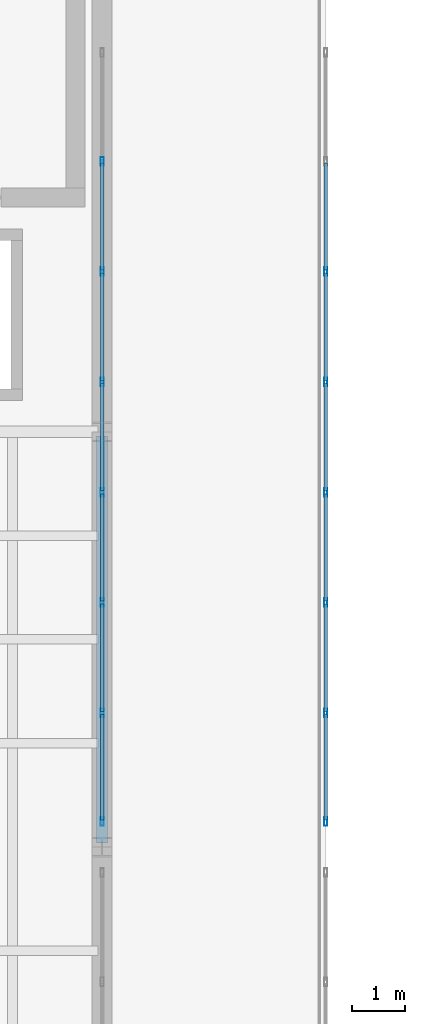
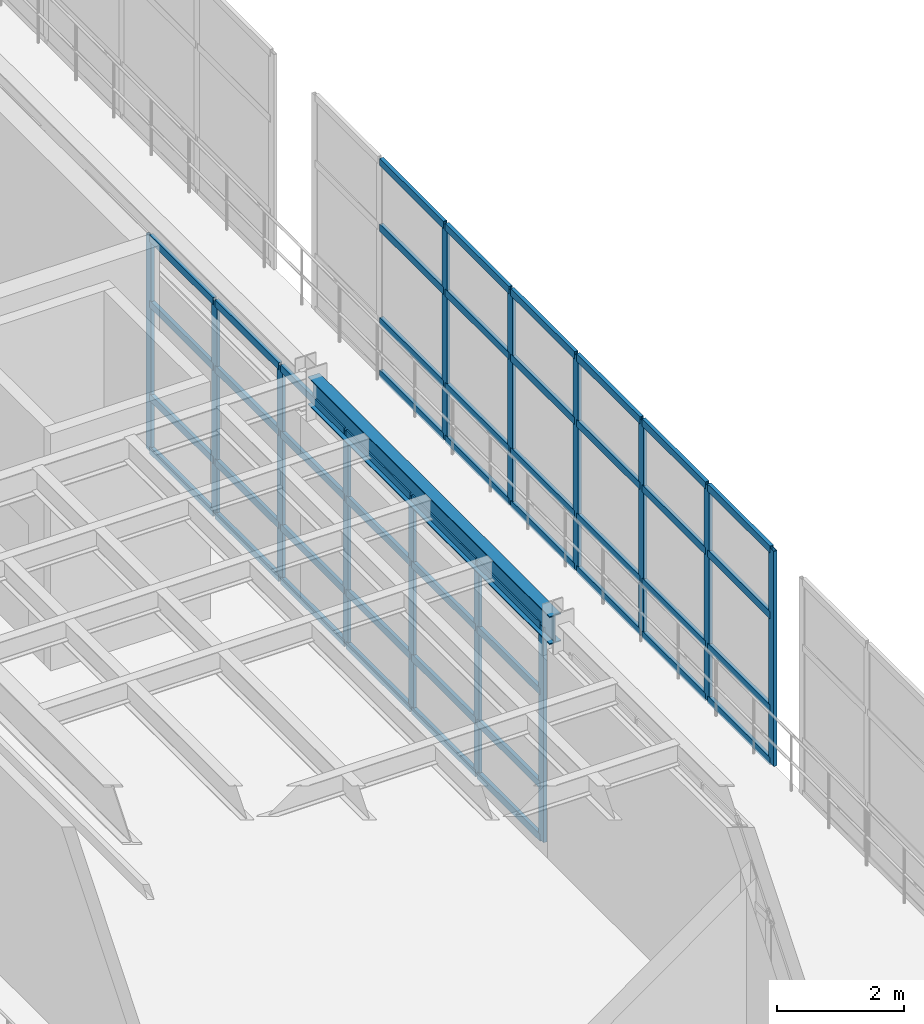
# One storey, part 56 of 116: 61 members, 1 beam, 2 elements without a shape of their own.
"""IFC4 building model written with IfcOpenShell, lengths in metres."""

from ifc_helpers import new_model, si_unit, direction, frame, origin, origin_2d, place, context, subcontext, project, spatial, hollow_rectangle, i_section, extrude, material, layer, layer_set, material_profile, profile_set, type_object, element, aggregate, save


model = new_model("IFC4")

# Units and contexts
model_context = context("Model", 3, precision=1e-05, world=origin(), true_north=direction((0.0, 1.0)))
body_context = subcontext(model_context, "Body", "Model", "MODEL_VIEW")
ifc_project = project(units=[si_unit("LENGTHUNIT", "METRE"), si_unit("AREAUNIT", "SQUARE_METRE"), si_unit("VOLUMEUNIT", "CUBIC_METRE"), si_unit("PLANEANGLEUNIT", "RADIAN"), si_unit("MASSUNIT", "GRAM", prefix="KILO")], contexts=[model_context])

# Site, building, storey
site_placement = place(None, origin())
site = spatial("IfcSite", under=ifc_project, at=site_placement, CompositionType="ELEMENT")
building_placement = place(site_placement, origin())
building = spatial("IfcBuilding", under=site, at=building_placement, Name="Selat Folded Stagehouse", CompositionType="ELEMENT")
storey_placement = place(building_placement, frame((0.0, 0.0, 5.39990234375)))
storey = spatial("IfcBuildingStorey", under=building, at=storey_placement, Name="L01", CompositionType="ELEMENT", Elevation=5.39990234375)

# Beam
ifc_material_1 = material(Name="Steel S355", Category="steel")
ifc_material_profile_1 = material_profile(ifc_material_1, i_section(OverallWidth=0.210693359375, OverallDepth=0.53955078125, WebThickness=0.01171875, FlangeThickness=0.018798828125, FilletRadius=0.0126953125, at=origin_2d()), Name="UKB 533x210x109")
ifc_profile_set_1 = profile_set([ifc_material_profile_1], Name="Steel S355")
beam_type = type_object("IfcBeamType", Name="BM-GIRD-533x210x109", PredefinedType="BEAM", material=ifc_profile_set_1)
beam_placement = place(storey_placement, frame((67.199951171875, 31.280029296875, 4.310302734375), z_axis=(0.0, 1.0, 0.0), x_axis=(-1.0, 0.0, 0.0)))
element("IfcBeam", 1, at=beam_placement, inside=storey, type_object=beam_type, Name="L01 primary y-girder 0825", PredefinedType="BEAM", context=body_context, shape_type="SweptSolid", body=[
    extrude(i_section(OverallWidth=0.210693359375, OverallDepth=0.53955078125, WebThickness=0.01171875, FlangeThickness=0.018798828125, FilletRadius=0.0126953125, at=origin_2d()), origin(), (0.0, 0.0, 1.0), 7.639892578125),
])

# Curtain wall, members
ifc_material_2 = material(Name="Aluminium 6063-T6", Category="aluminium")
ifc_layer = layer(ifc_material_2, 0.175048828125)
ifc_layer_set = layer_set([ifc_layer], Name="Aluminium 6063-T6")
curtain_wall_type = type_object("IfcCurtainWallType", Name="CW-BRG-GLAZ", PredefinedType="NOTDEFINED", material=ifc_layer_set)
curtain_wall_1_placement = place(storey_placement, origin())
curtain_wall_1 = element("IfcCurtainWall", 2, at=curtain_wall_1_placement, inside=storey, type_object=curtain_wall_type, Name="L01 curtain wall CW-BRG-02", PredefinedType="NOTDEFINED")
ifc_material_profile_2 = material_profile(ifc_material_2, hollow_rectangle(XDim=0.06005859375, YDim=0.159912109375, WallThickness=0.00390625, at=origin_2d()), Name="ALU 160x60x4.0")
ifc_profile_set_2 = profile_set([ifc_material_profile_2], Name="Aluminium 6063-T6")
member_type_1 = type_object("IfcMemberType", Name="CWM-MUL-160x60", PredefinedType="MULLION", material=ifc_profile_set_2)
member_1_placement = place(storey_placement, frame((67.199951171875, 31.679931640625, 0.0), z_axis=(0.0, 0.0, 1.0), x_axis=(-1.0, 0.0, 0.0)))
member_1 = element("IfcMember", 3, at=member_1_placement, type_object=member_type_1, Name="CW-07 mullion 1", PredefinedType="MULLION", context=body_context, shape_type="SweptSolid", body=[
    extrude(hollow_rectangle(XDim=0.06005859375, YDim=0.159912109375, WallThickness=0.00390625, at=origin_2d()), origin(), (0.0, 0.0, 1.0), 4.150146484375),
])
member_2_placement = place(storey_placement, frame((67.199951171875, 33.721435546875, 0.0), z_axis=(0.0, 0.0, 1.0), x_axis=(-1.0, 0.0, 0.0)))
member_2 = element("IfcMember", 4, at=member_2_placement, type_object=member_type_1, Name="CW-07 mullion 2", PredefinedType="MULLION", context=body_context, shape_type="SweptSolid", body=[
    extrude(hollow_rectangle(XDim=0.06005859375, YDim=0.159912109375, WallThickness=0.00390625, at=origin_2d()), origin(), (0.0, 0.0, 1.0), 4.150146484375),
])
member_3_placement = place(storey_placement, frame((67.199951171875, 35.79296875, 0.0), z_axis=(0.0, 0.0, 1.0), x_axis=(-1.0, 0.0, 0.0)))
member_3 = element("IfcMember", 5, at=member_3_placement, type_object=member_type_1, Name="CW-07 mullion 3", PredefinedType="MULLION", context=body_context, shape_type="SweptSolid", body=[
    extrude(hollow_rectangle(XDim=0.06005859375, YDim=0.159912109375, WallThickness=0.00390625, at=origin_2d()), origin(), (0.0, 0.0, 1.0), 4.150146484375),
])
member_4_placement = place(storey_placement, frame((67.199951171875, 37.8642578125, 0.0), z_axis=(0.0, 0.0, 1.0), x_axis=(-1.0, 0.0, 0.0)))
member_4 = element("IfcMember", 6, at=member_4_placement, type_object=member_type_1, Name="CW-07 mullion 4", PredefinedType="MULLION", context=body_context, shape_type="SweptSolid", body=[
    extrude(hollow_rectangle(XDim=0.06005859375, YDim=0.159912109375, WallThickness=0.00390625, at=origin_2d()), origin(), (0.0, 0.0, 1.0), 4.150146484375),
])
member_5_placement = place(storey_placement, frame((67.199951171875, 39.935791015625, 0.0), z_axis=(0.0, 0.0, 1.0), x_axis=(-1.0, 0.0, 0.0)))
member_5 = element("IfcMember", 7, at=member_5_placement, type_object=member_type_1, Name="CW-07 mullion 5", PredefinedType="MULLION", context=body_context, shape_type="SweptSolid", body=[
    extrude(hollow_rectangle(XDim=0.06005859375, YDim=0.159912109375, WallThickness=0.00390625, at=origin_2d()), origin(), (0.0, 0.0, 1.0), 4.150146484375),
])
member_6_placement = place(storey_placement, frame((67.199951171875, 42.007080078125, 0.0), z_axis=(0.0, 0.0, 1.0), x_axis=(-1.0, 0.0, 0.0)))
member_6 = element("IfcMember", 8, at=member_6_placement, type_object=member_type_1, Name="CW-07 mullion 6", PredefinedType="MULLION", context=body_context, shape_type="SweptSolid", body=[
    extrude(hollow_rectangle(XDim=0.06005859375, YDim=0.159912109375, WallThickness=0.00390625, at=origin_2d()), origin(), (0.0, 0.0, 1.0), 4.150146484375),
])
member_7_placement = place(storey_placement, frame((67.199951171875, 44.07861328125, 0.0), z_axis=(0.0, 0.0, 1.0), x_axis=(-1.0, 0.0, 0.0)))
member_7 = element("IfcMember", 9, at=member_7_placement, type_object=member_type_1, Name="CW-07 mullion 7", PredefinedType="MULLION", context=body_context, shape_type="SweptSolid", body=[
    extrude(hollow_rectangle(XDim=0.06005859375, YDim=0.159912109375, WallThickness=0.00390625, at=origin_2d()), origin(), (0.0, 0.0, 1.0), 4.150146484375),
])

curtain_wall_2_placement = place(storey_placement, origin())
curtain_wall_2 = element("IfcCurtainWall", 10, at=curtain_wall_2_placement, inside=storey, type_object=curtain_wall_type, Name="L01 curtain wall CW-BRG-07", PredefinedType="NOTDEFINED")
member_8_placement = place(storey_placement, frame((71.39990234375, 42.007080078125, 0.0), z_axis=(0.0, 0.0, 1.0), x_axis=(1.0, 0.0, 0.0)))
member_8 = element("IfcMember", 11, at=member_8_placement, type_object=member_type_1, Name="CW-07 mullion 3", PredefinedType="MULLION", context=body_context, shape_type="SweptSolid", body=[
    extrude(hollow_rectangle(XDim=0.06005859375, YDim=0.159912109375, WallThickness=0.00390625, at=origin_2d()), origin(), (0.0, 0.0, 1.0), 4.150146484375),
])
member_9_placement = place(storey_placement, frame((71.39990234375, 39.935791015625, 0.0), z_axis=(0.0, 0.0, 1.0), x_axis=(1.0, 0.0, 0.0)))
member_9 = element("IfcMember", 12, at=member_9_placement, type_object=member_type_1, Name="CW-07 mullion 4", PredefinedType="MULLION", context=body_context, shape_type="SweptSolid", body=[
    extrude(hollow_rectangle(XDim=0.06005859375, YDim=0.159912109375, WallThickness=0.00390625, at=origin_2d()), origin(), (0.0, 0.0, 1.0), 4.150146484375),
])
member_10_placement = place(storey_placement, frame((71.39990234375, 37.8642578125, 0.0), z_axis=(0.0, 0.0, 1.0), x_axis=(1.0, 0.0, 0.0)))
member_10 = element("IfcMember", 13, at=member_10_placement, type_object=member_type_1, Name="CW-07 mullion 5", PredefinedType="MULLION", context=body_context, shape_type="SweptSolid", body=[
    extrude(hollow_rectangle(XDim=0.06005859375, YDim=0.159912109375, WallThickness=0.00390625, at=origin_2d()), origin(), (0.0, 0.0, 1.0), 4.150146484375),
])
member_11_placement = place(storey_placement, frame((71.39990234375, 35.79296875, 0.0), z_axis=(0.0, 0.0, 1.0), x_axis=(1.0, 0.0, 0.0)))
member_11 = element("IfcMember", 14, at=member_11_placement, type_object=member_type_1, Name="CW-07 mullion 6", PredefinedType="MULLION", context=body_context, shape_type="SweptSolid", body=[
    extrude(hollow_rectangle(XDim=0.06005859375, YDim=0.159912109375, WallThickness=0.00390625, at=origin_2d()), origin(), (0.0, 0.0, 1.0), 4.150146484375),
])
member_12_placement = place(storey_placement, frame((71.39990234375, 33.721435546875, 0.0), z_axis=(0.0, 0.0, 1.0), x_axis=(1.0, 0.0, 0.0)))
member_12 = element("IfcMember", 15, at=member_12_placement, type_object=member_type_1, Name="CW-07 mullion 7", PredefinedType="MULLION", context=body_context, shape_type="SweptSolid", body=[
    extrude(hollow_rectangle(XDim=0.06005859375, YDim=0.159912109375, WallThickness=0.00390625, at=origin_2d()), origin(), (0.0, 0.0, 1.0), 4.150146484375),
])
member_13_placement = place(storey_placement, frame((71.39990234375, 31.679931640625, 0.0), z_axis=(0.0, 0.0, 1.0), x_axis=(1.0, 0.0, 0.0)))
member_13 = element("IfcMember", 16, at=member_13_placement, type_object=member_type_1, Name="CW-07 mullion 8", PredefinedType="MULLION", context=body_context, shape_type="SweptSolid", body=[
    extrude(hollow_rectangle(XDim=0.06005859375, YDim=0.159912109375, WallThickness=0.00390625, at=origin_2d()), origin(), (0.0, 0.0, 1.0), 4.150146484375),
])

# Member
ifc_material_profile_3 = material_profile(ifc_material_2, hollow_rectangle(XDim=0.06494140625, YDim=0.139892578125, WallThickness=0.00390625, at=origin_2d()), Name="ALU 140x65x4.0")
ifc_profile_set_3 = profile_set([ifc_material_profile_3], Name="Aluminium 6063-T6")
member_type_2 = type_object("IfcMemberType", Name="CWM-TRN-140x65", PredefinedType="USERDEFINED", material=ifc_profile_set_3)
member_14_placement = place(storey_placement, frame((67.199951171875, 31.7099609375, 0.03271484375), z_axis=(0.0, 1.0, 0.0), x_axis=(-1.0, 0.0, 0.0)))
member_14 = element("IfcMember", 17, at=member_14_placement, type_object=member_type_2, Name="CW-07 transom 1.1", ObjectType="TRANSOM", PredefinedType="USERDEFINED", context=body_context, shape_type="SweptSolid", body=[
    extrude(hollow_rectangle(XDim=0.06494140625, YDim=0.139892578125, WallThickness=0.00390625, at=origin_2d()), origin(), (0.0, 0.0, 1.0), 1.9814453125),
])

member_15_placement = place(storey_placement, frame((67.199951171875, 31.7099609375, 1.050048828125), z_axis=(0.0, 1.0, 0.0), x_axis=(-1.0, 0.0, 0.0)))
member_15 = element("IfcMember", 18, at=member_15_placement, type_object=member_type_2, Name="CW-07 transom 1.2", ObjectType="TRANSOM", PredefinedType="USERDEFINED", context=body_context, shape_type="SweptSolid", body=[
    extrude(hollow_rectangle(XDim=0.06494140625, YDim=0.139892578125, WallThickness=0.00390625, at=origin_2d()), origin(), (0.0, 0.0, 1.0), 1.9814453125),
])

member_16_placement = place(storey_placement, frame((67.199951171875, 31.7099609375, 2.85009765625), z_axis=(0.0, 1.0, 0.0), x_axis=(-1.0, 0.0, 0.0)))
member_16 = element("IfcMember", 19, at=member_16_placement, type_object=member_type_2, Name="CW-07 transom 1.3", ObjectType="TRANSOM", PredefinedType="USERDEFINED", context=body_context, shape_type="SweptSolid", body=[
    extrude(hollow_rectangle(XDim=0.06494140625, YDim=0.139892578125, WallThickness=0.00390625, at=origin_2d()), origin(), (0.0, 0.0, 1.0), 1.9814453125),
])

member_17_placement = place(storey_placement, frame((67.199951171875, 31.7099609375, 4.11767578125), z_axis=(0.0, 1.0, 0.0), x_axis=(-1.0, 0.0, 0.0)))
member_17 = element("IfcMember", 20, at=member_17_placement, type_object=member_type_2, Name="CW-07 transom 1.4", ObjectType="TRANSOM", PredefinedType="USERDEFINED", context=body_context, shape_type="SweptSolid", body=[
    extrude(hollow_rectangle(XDim=0.06494140625, YDim=0.139892578125, WallThickness=0.00390625, at=origin_2d()), origin(), (0.0, 0.0, 1.0), 1.9814453125),
])

member_18_placement = place(storey_placement, frame((67.199951171875, 33.75146484375, 0.03271484375), z_axis=(0.0, 1.0, 0.0), x_axis=(-1.0, 0.0, 0.0)))
member_18 = element("IfcMember", 21, at=member_18_placement, type_object=member_type_2, Name="CW-07 transom 2.1", ObjectType="TRANSOM", PredefinedType="USERDEFINED", context=body_context, shape_type="SweptSolid", body=[
    extrude(hollow_rectangle(XDim=0.06494140625, YDim=0.139892578125, WallThickness=0.00390625, at=origin_2d()), origin(), (0.0, 0.0, 1.0), 2.011474609375),
])

member_19_placement = place(storey_placement, frame((67.199951171875, 33.75146484375, 1.050048828125), z_axis=(0.0, 1.0, 0.0), x_axis=(-1.0, 0.0, 0.0)))
member_19 = element("IfcMember", 22, at=member_19_placement, type_object=member_type_2, Name="CW-07 transom 2.2", ObjectType="TRANSOM", PredefinedType="USERDEFINED", context=body_context, shape_type="SweptSolid", body=[
    extrude(hollow_rectangle(XDim=0.06494140625, YDim=0.139892578125, WallThickness=0.00390625, at=origin_2d()), origin(), (0.0, 0.0, 1.0), 2.011474609375),
])

member_20_placement = place(storey_placement, frame((67.199951171875, 33.75146484375, 2.85009765625), z_axis=(0.0, 1.0, 0.0), x_axis=(-1.0, 0.0, 0.0)))
member_20 = element("IfcMember", 23, at=member_20_placement, type_object=member_type_2, Name="CW-07 transom 2.3", ObjectType="TRANSOM", PredefinedType="USERDEFINED", context=body_context, shape_type="SweptSolid", body=[
    extrude(hollow_rectangle(XDim=0.06494140625, YDim=0.139892578125, WallThickness=0.00390625, at=origin_2d()), origin(), (0.0, 0.0, 1.0), 2.011474609375),
])

member_21_placement = place(storey_placement, frame((67.199951171875, 33.75146484375, 4.11767578125), z_axis=(0.0, 1.0, 0.0), x_axis=(-1.0, 0.0, 0.0)))
member_21 = element("IfcMember", 24, at=member_21_placement, type_object=member_type_2, Name="CW-07 transom 2.4", ObjectType="TRANSOM", PredefinedType="USERDEFINED", context=body_context, shape_type="SweptSolid", body=[
    extrude(hollow_rectangle(XDim=0.06494140625, YDim=0.139892578125, WallThickness=0.00390625, at=origin_2d()), origin(), (0.0, 0.0, 1.0), 2.011474609375),
])

member_22_placement = place(storey_placement, frame((67.199951171875, 35.82275390625, 0.03271484375), z_axis=(0.0, 1.0, 0.0), x_axis=(-1.0, 0.0, 0.0)))
member_22 = element("IfcMember", 25, at=member_22_placement, type_object=member_type_2, Name="CW-07 transom 3.1", ObjectType="TRANSOM", PredefinedType="USERDEFINED", context=body_context, shape_type="SweptSolid", body=[
    extrude(hollow_rectangle(XDim=0.06494140625, YDim=0.139892578125, WallThickness=0.00390625, at=origin_2d()), origin(), (0.0, 0.0, 1.0), 2.011474609375),
])

member_23_placement = place(storey_placement, frame((67.199951171875, 35.82275390625, 1.050048828125), z_axis=(0.0, 1.0, 0.0), x_axis=(-1.0, 0.0, 0.0)))
member_23 = element("IfcMember", 26, at=member_23_placement, type_object=member_type_2, Name="CW-07 transom 3.2", ObjectType="TRANSOM", PredefinedType="USERDEFINED", context=body_context, shape_type="SweptSolid", body=[
    extrude(hollow_rectangle(XDim=0.06494140625, YDim=0.139892578125, WallThickness=0.00390625, at=origin_2d()), origin(), (0.0, 0.0, 1.0), 2.011474609375),
])

member_24_placement = place(storey_placement, frame((67.199951171875, 35.82275390625, 2.85009765625), z_axis=(0.0, 1.0, 0.0), x_axis=(-1.0, 0.0, 0.0)))
member_24 = element("IfcMember", 27, at=member_24_placement, type_object=member_type_2, Name="CW-07 transom 3.3", ObjectType="TRANSOM", PredefinedType="USERDEFINED", context=body_context, shape_type="SweptSolid", body=[
    extrude(hollow_rectangle(XDim=0.06494140625, YDim=0.139892578125, WallThickness=0.00390625, at=origin_2d()), origin(), (0.0, 0.0, 1.0), 2.011474609375),
])

member_25_placement = place(storey_placement, frame((67.199951171875, 35.82275390625, 4.11767578125), z_axis=(0.0, 1.0, 0.0), x_axis=(-1.0, 0.0, 0.0)))
member_25 = element("IfcMember", 28, at=member_25_placement, type_object=member_type_2, Name="CW-07 transom 3.4", ObjectType="TRANSOM", PredefinedType="USERDEFINED", context=body_context, shape_type="SweptSolid", body=[
    extrude(hollow_rectangle(XDim=0.06494140625, YDim=0.139892578125, WallThickness=0.00390625, at=origin_2d()), origin(), (0.0, 0.0, 1.0), 2.011474609375),
])

member_26_placement = place(storey_placement, frame((67.199951171875, 37.894287109375, 0.03271484375), z_axis=(0.0, 1.0, 0.0), x_axis=(-1.0, 0.0, 0.0)))
member_26 = element("IfcMember", 29, at=member_26_placement, type_object=member_type_2, Name="CW-07 transom 4.1", ObjectType="TRANSOM", PredefinedType="USERDEFINED", context=body_context, shape_type="SweptSolid", body=[
    extrude(hollow_rectangle(XDim=0.06494140625, YDim=0.139892578125, WallThickness=0.00390625, at=origin_2d()), origin(), (0.0, 0.0, 1.0), 2.011474609375),
])

member_27_placement = place(storey_placement, frame((67.199951171875, 37.894287109375, 1.050048828125), z_axis=(0.0, 1.0, 0.0), x_axis=(-1.0, 0.0, 0.0)))
member_27 = element("IfcMember", 30, at=member_27_placement, type_object=member_type_2, Name="CW-07 transom 4.2", ObjectType="TRANSOM", PredefinedType="USERDEFINED", context=body_context, shape_type="SweptSolid", body=[
    extrude(hollow_rectangle(XDim=0.06494140625, YDim=0.139892578125, WallThickness=0.00390625, at=origin_2d()), origin(), (0.0, 0.0, 1.0), 2.011474609375),
])

member_28_placement = place(storey_placement, frame((67.199951171875, 37.894287109375, 2.85009765625), z_axis=(0.0, 1.0, 0.0), x_axis=(-1.0, 0.0, 0.0)))
member_28 = element("IfcMember", 31, at=member_28_placement, type_object=member_type_2, Name="CW-07 transom 4.3", ObjectType="TRANSOM", PredefinedType="USERDEFINED", context=body_context, shape_type="SweptSolid", body=[
    extrude(hollow_rectangle(XDim=0.06494140625, YDim=0.139892578125, WallThickness=0.00390625, at=origin_2d()), origin(), (0.0, 0.0, 1.0), 2.011474609375),
])

member_29_placement = place(storey_placement, frame((67.199951171875, 37.894287109375, 4.11767578125), z_axis=(0.0, 1.0, 0.0), x_axis=(-1.0, 0.0, 0.0)))
member_29 = element("IfcMember", 32, at=member_29_placement, type_object=member_type_2, Name="CW-07 transom 4.4", ObjectType="TRANSOM", PredefinedType="USERDEFINED", context=body_context, shape_type="SweptSolid", body=[
    extrude(hollow_rectangle(XDim=0.06494140625, YDim=0.139892578125, WallThickness=0.00390625, at=origin_2d()), origin(), (0.0, 0.0, 1.0), 2.011474609375),
])

member_30_placement = place(storey_placement, frame((67.199951171875, 39.9658203125, 0.03271484375), z_axis=(0.0, 1.0, 0.0), x_axis=(-1.0, 0.0, 0.0)))
member_30 = element("IfcMember", 33, at=member_30_placement, type_object=member_type_2, Name="CW-07 transom 5.1", ObjectType="TRANSOM", PredefinedType="USERDEFINED", context=body_context, shape_type="SweptSolid", body=[
    extrude(hollow_rectangle(XDim=0.06494140625, YDim=0.139892578125, WallThickness=0.00390625, at=origin_2d()), origin(), (0.0, 0.0, 1.0), 2.01123046875),
])

member_31_placement = place(storey_placement, frame((67.199951171875, 39.9658203125, 1.050048828125), z_axis=(0.0, 1.0, 0.0), x_axis=(-1.0, 0.0, 0.0)))
member_31 = element("IfcMember", 34, at=member_31_placement, type_object=member_type_2, Name="CW-07 transom 5.2", ObjectType="TRANSOM", PredefinedType="USERDEFINED", context=body_context, shape_type="SweptSolid", body=[
    extrude(hollow_rectangle(XDim=0.06494140625, YDim=0.139892578125, WallThickness=0.00390625, at=origin_2d()), origin(), (0.0, 0.0, 1.0), 2.01123046875),
])

member_32_placement = place(storey_placement, frame((67.199951171875, 39.9658203125, 2.85009765625), z_axis=(0.0, 1.0, 0.0), x_axis=(-1.0, 0.0, 0.0)))
member_32 = element("IfcMember", 35, at=member_32_placement, type_object=member_type_2, Name="CW-07 transom 5.3", ObjectType="TRANSOM", PredefinedType="USERDEFINED", context=body_context, shape_type="SweptSolid", body=[
    extrude(hollow_rectangle(XDim=0.06494140625, YDim=0.139892578125, WallThickness=0.00390625, at=origin_2d()), origin(), (0.0, 0.0, 1.0), 2.01123046875),
])

member_33_placement = place(storey_placement, frame((67.199951171875, 39.9658203125, 4.11767578125), z_axis=(0.0, 1.0, 0.0), x_axis=(-1.0, 0.0, 0.0)))
member_33 = element("IfcMember", 36, at=member_33_placement, type_object=member_type_2, Name="CW-07 transom 5.4", ObjectType="TRANSOM", PredefinedType="USERDEFINED", context=body_context, shape_type="SweptSolid", body=[
    extrude(hollow_rectangle(XDim=0.06494140625, YDim=0.139892578125, WallThickness=0.00390625, at=origin_2d()), origin(), (0.0, 0.0, 1.0), 2.01123046875),
])

member_34_placement = place(storey_placement, frame((67.199951171875, 42.037109375, 0.03271484375), z_axis=(0.0, 1.0, 0.0), x_axis=(-1.0, 0.0, 0.0)))
member_34 = element("IfcMember", 37, at=member_34_placement, type_object=member_type_2, Name="CW-07 transom 6.1", ObjectType="TRANSOM", PredefinedType="USERDEFINED", context=body_context, shape_type="SweptSolid", body=[
    extrude(hollow_rectangle(XDim=0.06494140625, YDim=0.139892578125, WallThickness=0.00390625, at=origin_2d()), origin(), (0.0, 0.0, 1.0), 2.011474609375),
])

member_35_placement = place(storey_placement, frame((67.199951171875, 42.037109375, 1.050048828125), z_axis=(0.0, 1.0, 0.0), x_axis=(-1.0, 0.0, 0.0)))
member_35 = element("IfcMember", 38, at=member_35_placement, type_object=member_type_2, Name="CW-07 transom 6.2", ObjectType="TRANSOM", PredefinedType="USERDEFINED", context=body_context, shape_type="SweptSolid", body=[
    extrude(hollow_rectangle(XDim=0.06494140625, YDim=0.139892578125, WallThickness=0.00390625, at=origin_2d()), origin(), (0.0, 0.0, 1.0), 2.011474609375),
])

member_36_placement = place(storey_placement, frame((67.199951171875, 42.037109375, 2.85009765625), z_axis=(0.0, 1.0, 0.0), x_axis=(-1.0, 0.0, 0.0)))
member_36 = element("IfcMember", 39, at=member_36_placement, type_object=member_type_2, Name="CW-07 transom 6.3", ObjectType="TRANSOM", PredefinedType="USERDEFINED", context=body_context, shape_type="SweptSolid", body=[
    extrude(hollow_rectangle(XDim=0.06494140625, YDim=0.139892578125, WallThickness=0.00390625, at=origin_2d()), origin(), (0.0, 0.0, 1.0), 2.011474609375),
])

member_37_placement = place(storey_placement, frame((67.199951171875, 42.037109375, 4.11767578125), z_axis=(0.0, 1.0, 0.0), x_axis=(-1.0, 0.0, 0.0)))
member_37 = element("IfcMember", 40, at=member_37_placement, type_object=member_type_2, Name="CW-07 transom 6.4", ObjectType="TRANSOM", PredefinedType="USERDEFINED", context=body_context, shape_type="SweptSolid", body=[
    extrude(hollow_rectangle(XDim=0.06494140625, YDim=0.139892578125, WallThickness=0.00390625, at=origin_2d()), origin(), (0.0, 0.0, 1.0), 2.011474609375),
])

aggregate(curtain_wall_1, [member_1, member_2, member_3, member_4, member_5, member_6, member_7, member_14, member_15, member_16, member_17, member_18, member_19, member_20, member_21, member_22, member_23, member_24, member_25, member_26, member_27, member_28, member_29, member_30, member_31, member_32, member_33, member_34, member_35, member_36, member_37])

member_38_placement = place(storey_placement, frame((71.39990234375, 44.048583984375, 0.03271484375), z_axis=(0.0, -1.0, 0.0), x_axis=(1.0, 0.0, 0.0)))
member_38 = element("IfcMember", 41, at=member_38_placement, type_object=member_type_2, Name="CW-07 transom 2.1", ObjectType="TRANSOM", PredefinedType="USERDEFINED", context=body_context, shape_type="SweptSolid", body=[
    extrude(hollow_rectangle(XDim=0.06494140625, YDim=0.139892578125, WallThickness=0.00390625, at=origin_2d()), origin(), (0.0, 0.0, 1.0), 2.011474609375),
])

member_39_placement = place(storey_placement, frame((71.39990234375, 44.048583984375, 1.050048828125), z_axis=(0.0, -1.0, 0.0), x_axis=(1.0, 0.0, 0.0)))
member_39 = element("IfcMember", 42, at=member_39_placement, type_object=member_type_2, Name="CW-07 transom 2.2", ObjectType="TRANSOM", PredefinedType="USERDEFINED", context=body_context, shape_type="SweptSolid", body=[
    extrude(hollow_rectangle(XDim=0.06494140625, YDim=0.139892578125, WallThickness=0.00390625, at=origin_2d()), origin(), (0.0, 0.0, 1.0), 2.011474609375),
])

member_40_placement = place(storey_placement, frame((71.39990234375, 44.048583984375, 2.85009765625), z_axis=(0.0, -1.0, 0.0), x_axis=(1.0, 0.0, 0.0)))
member_40 = element("IfcMember", 43, at=member_40_placement, type_object=member_type_2, Name="CW-07 transom 2.3", ObjectType="TRANSOM", PredefinedType="USERDEFINED", context=body_context, shape_type="SweptSolid", body=[
    extrude(hollow_rectangle(XDim=0.06494140625, YDim=0.139892578125, WallThickness=0.00390625, at=origin_2d()), origin(), (0.0, 0.0, 1.0), 2.011474609375),
])

member_41_placement = place(storey_placement, frame((71.39990234375, 44.048583984375, 4.11767578125), z_axis=(0.0, -1.0, 0.0), x_axis=(1.0, 0.0, 0.0)))
member_41 = element("IfcMember", 44, at=member_41_placement, type_object=member_type_2, Name="CW-07 transom 2.4", ObjectType="TRANSOM", PredefinedType="USERDEFINED", context=body_context, shape_type="SweptSolid", body=[
    extrude(hollow_rectangle(XDim=0.06494140625, YDim=0.139892578125, WallThickness=0.00390625, at=origin_2d()), origin(), (0.0, 0.0, 1.0), 2.011474609375),
])

member_42_placement = place(storey_placement, frame((71.39990234375, 41.97705078125, 0.03271484375), z_axis=(0.0, -1.0, 0.0), x_axis=(1.0, 0.0, 0.0)))
member_42 = element("IfcMember", 45, at=member_42_placement, type_object=member_type_2, Name="CW-07 transom 3.1", ObjectType="TRANSOM", PredefinedType="USERDEFINED", context=body_context, shape_type="SweptSolid", body=[
    extrude(hollow_rectangle(XDim=0.06494140625, YDim=0.139892578125, WallThickness=0.00390625, at=origin_2d()), origin(), (0.0, 0.0, 1.0), 2.01123046875),
])

member_43_placement = place(storey_placement, frame((71.39990234375, 41.97705078125, 1.050048828125), z_axis=(0.0, -1.0, 0.0), x_axis=(1.0, 0.0, 0.0)))
member_43 = element("IfcMember", 46, at=member_43_placement, type_object=member_type_2, Name="CW-07 transom 3.2", ObjectType="TRANSOM", PredefinedType="USERDEFINED", context=body_context, shape_type="SweptSolid", body=[
    extrude(hollow_rectangle(XDim=0.06494140625, YDim=0.139892578125, WallThickness=0.00390625, at=origin_2d()), origin(), (0.0, 0.0, 1.0), 2.01123046875),
])

member_44_placement = place(storey_placement, frame((71.39990234375, 41.97705078125, 2.85009765625), z_axis=(0.0, -1.0, 0.0), x_axis=(1.0, 0.0, 0.0)))
member_44 = element("IfcMember", 47, at=member_44_placement, type_object=member_type_2, Name="CW-07 transom 3.3", ObjectType="TRANSOM", PredefinedType="USERDEFINED", context=body_context, shape_type="SweptSolid", body=[
    extrude(hollow_rectangle(XDim=0.06494140625, YDim=0.139892578125, WallThickness=0.00390625, at=origin_2d()), origin(), (0.0, 0.0, 1.0), 2.01123046875),
])

member_45_placement = place(storey_placement, frame((71.39990234375, 41.97705078125, 4.11767578125), z_axis=(0.0, -1.0, 0.0), x_axis=(1.0, 0.0, 0.0)))
member_45 = element("IfcMember", 48, at=member_45_placement, type_object=member_type_2, Name="CW-07 transom 3.4", ObjectType="TRANSOM", PredefinedType="USERDEFINED", context=body_context, shape_type="SweptSolid", body=[
    extrude(hollow_rectangle(XDim=0.06494140625, YDim=0.139892578125, WallThickness=0.00390625, at=origin_2d()), origin(), (0.0, 0.0, 1.0), 2.01123046875),
])

member_46_placement = place(storey_placement, frame((71.39990234375, 39.90576171875, 0.03271484375), z_axis=(0.0, -1.0, 0.0), x_axis=(1.0, 0.0, 0.0)))
member_46 = element("IfcMember", 49, at=member_46_placement, type_object=member_type_2, Name="CW-07 transom 4.1", ObjectType="TRANSOM", PredefinedType="USERDEFINED", context=body_context, shape_type="SweptSolid", body=[
    extrude(hollow_rectangle(XDim=0.06494140625, YDim=0.139892578125, WallThickness=0.00390625, at=origin_2d()), origin(), (0.0, 0.0, 1.0), 2.011474609375),
])

member_47_placement = place(storey_placement, frame((71.39990234375, 39.90576171875, 1.050048828125), z_axis=(0.0, -1.0, 0.0), x_axis=(1.0, 0.0, 0.0)))
member_47 = element("IfcMember", 50, at=member_47_placement, type_object=member_type_2, Name="CW-07 transom 4.2", ObjectType="TRANSOM", PredefinedType="USERDEFINED", context=body_context, shape_type="SweptSolid", body=[
    extrude(hollow_rectangle(XDim=0.06494140625, YDim=0.139892578125, WallThickness=0.00390625, at=origin_2d()), origin(), (0.0, 0.0, 1.0), 2.011474609375),
])

member_48_placement = place(storey_placement, frame((71.39990234375, 39.90576171875, 2.85009765625), z_axis=(0.0, -1.0, 0.0), x_axis=(1.0, 0.0, 0.0)))
member_48 = element("IfcMember", 51, at=member_48_placement, type_object=member_type_2, Name="CW-07 transom 4.3", ObjectType="TRANSOM", PredefinedType="USERDEFINED", context=body_context, shape_type="SweptSolid", body=[
    extrude(hollow_rectangle(XDim=0.06494140625, YDim=0.139892578125, WallThickness=0.00390625, at=origin_2d()), origin(), (0.0, 0.0, 1.0), 2.011474609375),
])

member_49_placement = place(storey_placement, frame((71.39990234375, 39.90576171875, 4.11767578125), z_axis=(0.0, -1.0, 0.0), x_axis=(1.0, 0.0, 0.0)))
member_49 = element("IfcMember", 52, at=member_49_placement, type_object=member_type_2, Name="CW-07 transom 4.4", ObjectType="TRANSOM", PredefinedType="USERDEFINED", context=body_context, shape_type="SweptSolid", body=[
    extrude(hollow_rectangle(XDim=0.06494140625, YDim=0.139892578125, WallThickness=0.00390625, at=origin_2d()), origin(), (0.0, 0.0, 1.0), 2.011474609375),
])

member_50_placement = place(storey_placement, frame((71.39990234375, 37.834228515625, 0.03271484375), z_axis=(0.0, -1.0, 0.0), x_axis=(1.0, 0.0, 0.0)))
member_50 = element("IfcMember", 53, at=member_50_placement, type_object=member_type_2, Name="CW-07 transom 5.1", ObjectType="TRANSOM", PredefinedType="USERDEFINED", context=body_context, shape_type="SweptSolid", body=[
    extrude(hollow_rectangle(XDim=0.06494140625, YDim=0.139892578125, WallThickness=0.00390625, at=origin_2d()), origin(), (0.0, 0.0, 1.0), 2.011474609375),
])

member_51_placement = place(storey_placement, frame((71.39990234375, 37.834228515625, 1.050048828125), z_axis=(0.0, -1.0, 0.0), x_axis=(1.0, 0.0, 0.0)))
member_51 = element("IfcMember", 54, at=member_51_placement, type_object=member_type_2, Name="CW-07 transom 5.2", ObjectType="TRANSOM", PredefinedType="USERDEFINED", context=body_context, shape_type="SweptSolid", body=[
    extrude(hollow_rectangle(XDim=0.06494140625, YDim=0.139892578125, WallThickness=0.00390625, at=origin_2d()), origin(), (0.0, 0.0, 1.0), 2.011474609375),
])

member_52_placement = place(storey_placement, frame((71.39990234375, 37.834228515625, 2.85009765625), z_axis=(0.0, -1.0, 0.0), x_axis=(1.0, 0.0, 0.0)))
member_52 = element("IfcMember", 55, at=member_52_placement, type_object=member_type_2, Name="CW-07 transom 5.3", ObjectType="TRANSOM", PredefinedType="USERDEFINED", context=body_context, shape_type="SweptSolid", body=[
    extrude(hollow_rectangle(XDim=0.06494140625, YDim=0.139892578125, WallThickness=0.00390625, at=origin_2d()), origin(), (0.0, 0.0, 1.0), 2.011474609375),
])

member_53_placement = place(storey_placement, frame((71.39990234375, 37.834228515625, 4.11767578125), z_axis=(0.0, -1.0, 0.0), x_axis=(1.0, 0.0, 0.0)))
member_53 = element("IfcMember", 56, at=member_53_placement, type_object=member_type_2, Name="CW-07 transom 5.4", ObjectType="TRANSOM", PredefinedType="USERDEFINED", context=body_context, shape_type="SweptSolid", body=[
    extrude(hollow_rectangle(XDim=0.06494140625, YDim=0.139892578125, WallThickness=0.00390625, at=origin_2d()), origin(), (0.0, 0.0, 1.0), 2.011474609375),
])

member_54_placement = place(storey_placement, frame((71.39990234375, 35.762939453125, 0.03271484375), z_axis=(0.0, -1.0, 0.0), x_axis=(1.0, 0.0, 0.0)))
member_54 = element("IfcMember", 57, at=member_54_placement, type_object=member_type_2, Name="CW-07 transom 6.1", ObjectType="TRANSOM", PredefinedType="USERDEFINED", context=body_context, shape_type="SweptSolid", body=[
    extrude(hollow_rectangle(XDim=0.06494140625, YDim=0.139892578125, WallThickness=0.00390625, at=origin_2d()), origin(), (0.0, 0.0, 1.0), 2.011474609375),
])

member_55_placement = place(storey_placement, frame((71.39990234375, 35.762939453125, 1.050048828125), z_axis=(0.0, -1.0, 0.0), x_axis=(1.0, 0.0, 0.0)))
member_55 = element("IfcMember", 58, at=member_55_placement, type_object=member_type_2, Name="CW-07 transom 6.2", ObjectType="TRANSOM", PredefinedType="USERDEFINED", context=body_context, shape_type="SweptSolid", body=[
    extrude(hollow_rectangle(XDim=0.06494140625, YDim=0.139892578125, WallThickness=0.00390625, at=origin_2d()), origin(), (0.0, 0.0, 1.0), 2.011474609375),
])

member_56_placement = place(storey_placement, frame((71.39990234375, 35.762939453125, 2.85009765625), z_axis=(0.0, -1.0, 0.0), x_axis=(1.0, 0.0, 0.0)))
member_56 = element("IfcMember", 59, at=member_56_placement, type_object=member_type_2, Name="CW-07 transom 6.3", ObjectType="TRANSOM", PredefinedType="USERDEFINED", context=body_context, shape_type="SweptSolid", body=[
    extrude(hollow_rectangle(XDim=0.06494140625, YDim=0.139892578125, WallThickness=0.00390625, at=origin_2d()), origin(), (0.0, 0.0, 1.0), 2.011474609375),
])

member_57_placement = place(storey_placement, frame((71.39990234375, 35.762939453125, 4.11767578125), z_axis=(0.0, -1.0, 0.0), x_axis=(1.0, 0.0, 0.0)))
member_57 = element("IfcMember", 60, at=member_57_placement, type_object=member_type_2, Name="CW-07 transom 6.4", ObjectType="TRANSOM", PredefinedType="USERDEFINED", context=body_context, shape_type="SweptSolid", body=[
    extrude(hollow_rectangle(XDim=0.06494140625, YDim=0.139892578125, WallThickness=0.00390625, at=origin_2d()), origin(), (0.0, 0.0, 1.0), 2.011474609375),
])

member_58_placement = place(storey_placement, frame((71.39990234375, 33.69140625, 0.03271484375), z_axis=(0.0, -1.0, 0.0), x_axis=(1.0, 0.0, 0.0)))
member_58 = element("IfcMember", 61, at=member_58_placement, type_object=member_type_2, Name="CW-07 transom 7.1", ObjectType="TRANSOM", PredefinedType="USERDEFINED", context=body_context, shape_type="SweptSolid", body=[
    extrude(hollow_rectangle(XDim=0.06494140625, YDim=0.139892578125, WallThickness=0.00390625, at=origin_2d()), origin(), (0.0, 0.0, 1.0), 1.9814453125),
])

member_59_placement = place(storey_placement, frame((71.39990234375, 33.69140625, 1.050048828125), z_axis=(0.0, -1.0, 0.0), x_axis=(1.0, 0.0, 0.0)))
member_59 = element("IfcMember", 62, at=member_59_placement, type_object=member_type_2, Name="CW-07 transom 7.2", ObjectType="TRANSOM", PredefinedType="USERDEFINED", context=body_context, shape_type="SweptSolid", body=[
    extrude(hollow_rectangle(XDim=0.06494140625, YDim=0.139892578125, WallThickness=0.00390625, at=origin_2d()), origin(), (0.0, 0.0, 1.0), 1.9814453125),
])

member_60_placement = place(storey_placement, frame((71.39990234375, 33.69140625, 2.85009765625), z_axis=(0.0, -1.0, 0.0), x_axis=(1.0, 0.0, 0.0)))
member_60 = element("IfcMember", 63, at=member_60_placement, type_object=member_type_2, Name="CW-07 transom 7.3", ObjectType="TRANSOM", PredefinedType="USERDEFINED", context=body_context, shape_type="SweptSolid", body=[
    extrude(hollow_rectangle(XDim=0.06494140625, YDim=0.139892578125, WallThickness=0.00390625, at=origin_2d()), origin(), (0.0, 0.0, 1.0), 1.9814453125),
])

member_61_placement = place(storey_placement, frame((71.39990234375, 33.69140625, 4.11767578125), z_axis=(0.0, -1.0, 0.0), x_axis=(1.0, 0.0, 0.0)))
member_61 = element("IfcMember", 64, at=member_61_placement, type_object=member_type_2, Name="CW-07 transom 7.4", ObjectType="TRANSOM", PredefinedType="USERDEFINED", context=body_context, shape_type="SweptSolid", body=[
    extrude(hollow_rectangle(XDim=0.06494140625, YDim=0.139892578125, WallThickness=0.00390625, at=origin_2d()), origin(), (0.0, 0.0, 1.0), 1.9814453125),
])

aggregate(curtain_wall_2, [member_8, member_9, member_10, member_11, member_12, member_13, member_38, member_39, member_40, member_41, member_42, member_43, member_44, member_45, member_46, member_47, member_48, member_49, member_50, member_51, member_52, member_53, member_54, member_55, member_56, member_57, member_58, member_59, member_60, member_61])

save(model, "model.ifc")
